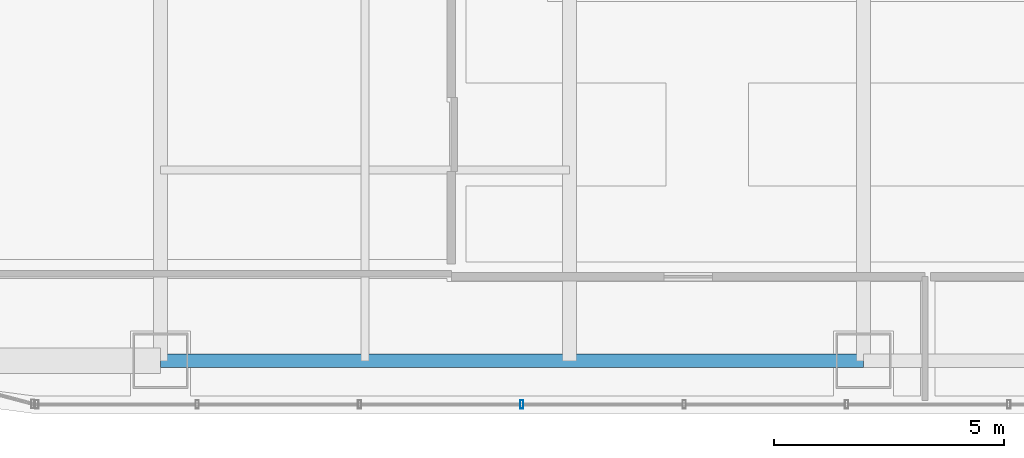
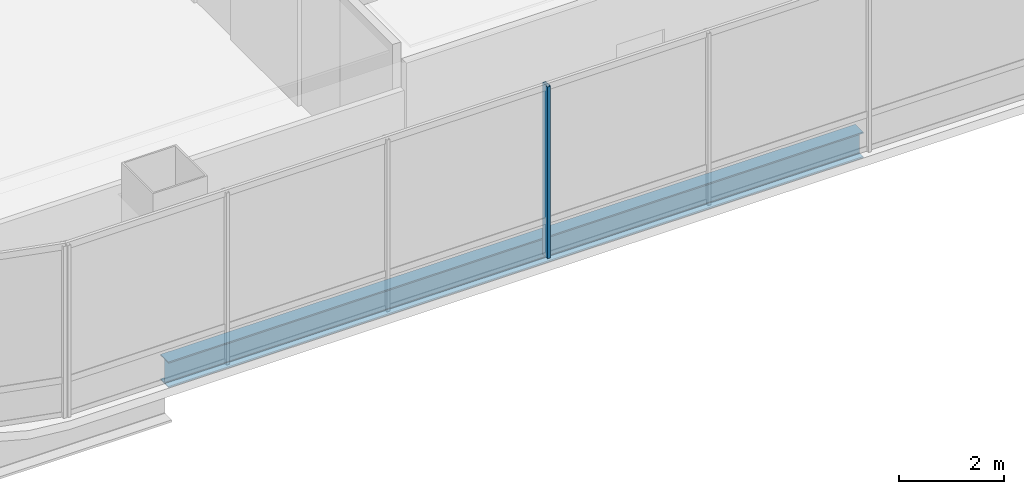
# One storey, part 3 of 41: 1 beam, 1 member, 1 element without a shape of its own.
"""IFC4 building model written with IfcOpenShell, lengths in metres."""

from ifc_helpers import new_model, si_unit, direction, frame, origin, origin_2d, place, context, subcontext, project, spatial, hollow_rectangle, i_section, extrude, material, material_profile, profile_set, type_object, element, aggregate, save


model = new_model("IFC4")

# Units and contexts
model_context = context("Model", 3, precision=1e-05, world=origin(), true_north=direction((0.0, 1.0)))
body_context = subcontext(model_context, "Body", "Model", "MODEL_VIEW")
ifc_project = project(units=[si_unit("LENGTHUNIT", "METRE"), si_unit("AREAUNIT", "SQUARE_METRE"), si_unit("VOLUMEUNIT", "CUBIC_METRE"), si_unit("PLANEANGLEUNIT", "RADIAN"), si_unit("MASSUNIT", "GRAM", prefix="KILO")], contexts=[model_context])

# Site, building, storey
site_placement = place(None, origin())
site = spatial("IfcSite", under=ifc_project, at=site_placement, CompositionType="ELEMENT")
building_placement = place(site_placement, origin())
building = spatial("IfcBuilding", under=site, at=building_placement, Name="Punatoya Terracotta Tower", CompositionType="ELEMENT")
storey_placement = place(building_placement, frame((0.0, 0.0, 309.0)))
storey = spatial("IfcBuildingStorey", under=building, at=storey_placement, Name="L73", CompositionType="ELEMENT", Elevation=309.0)

# Beam
ifc_material_1 = material(Name="Steel S355", Category="steel")
ifc_material_profile_1 = material_profile(ifc_material_1, i_section(OverallWidth=0.300048828125, OverallDepth=0.60009765625, WebThickness=0.015380859375, FlangeThickness=0.030029296875, FilletRadius=0.01806640625, at=origin_2d()))
ifc_profile_set_1 = profile_set([ifc_material_profile_1], Name="Steel S355")
beam_type = type_object("IfcBeamType", Name="BM-PRI-600", PredefinedType="BEAM", material=ifc_profile_set_1)
beam_placement = place(storey_placement, frame((-19.10009765625, -17.5, -0.5), z_axis=(1.0, 0.0, 0.0), x_axis=(0.0, 1.0, 0.0)))
element("IfcBeam", 1, at=beam_placement, inside=storey, type_object=beam_type, Name="BM-L73-RG-S1", PredefinedType="BEAM", context=body_context, shape_type="SweptSolid", body=[
    extrude(i_section(OverallWidth=0.300048828125, OverallDepth=0.60009765625, WebThickness=0.015380859375, FlangeThickness=0.030029296875, FilletRadius=0.01806640625, at=origin_2d()), origin(), (0.0, 0.0, 1.0), 15.300048828125),
])

# Curtain wall, member
ifc_material_2 = material(Name="Aluminium 6063-T6 + Double Low-E Glass", Category="aluminium")
curtain_wall_type = type_object("IfcCurtainWallType", Name="CW-M3", PredefinedType="NOTDEFINED", material=ifc_material_2)
curtain_wall_placement = place(storey_placement, origin())
curtain_wall = element("IfcCurtainWall", 2, at=curtain_wall_placement, inside=storey, type_object=curtain_wall_type, Name="L73 Curtain Wall CW-L73-S01-1", PredefinedType="NOTDEFINED")
ifc_material_3 = material(Name="Aluminium 6063-T6", Category="aluminium")
ifc_material_profile_2 = material_profile(ifc_material_3, hollow_rectangle(XDim=0.070068359375, YDim=0.179931640625, WallThickness=0.00390625, at=origin_2d()))
ifc_profile_set_2 = profile_set([ifc_material_profile_2], Name="Aluminium 6063-T6")
member_type = type_object("IfcMemberType", Name="CW-MUL-M3", PredefinedType="MULLION", material=ifc_profile_set_2)
member_placement = place(storey_placement, frame((-11.235107421875, -18.449951171875, 0.0), z_axis=(0.0, 0.0, 1.0), x_axis=(1.0, 0.0, 0.0)))
member = element("IfcMember", 3, at=member_placement, type_object=member_type, Name="CW-L73-S01-1 Mullion 03", PredefinedType="MULLION", context=body_context, shape_type="SweptSolid", body=[
    extrude(hollow_rectangle(XDim=0.070068359375, YDim=0.179931640625, WallThickness=0.00390625, at=origin_2d()), origin(), (0.0, 0.0, 1.0), 4.0),
])
aggregate(curtain_wall, [member])

save(model, "model.ifc")
